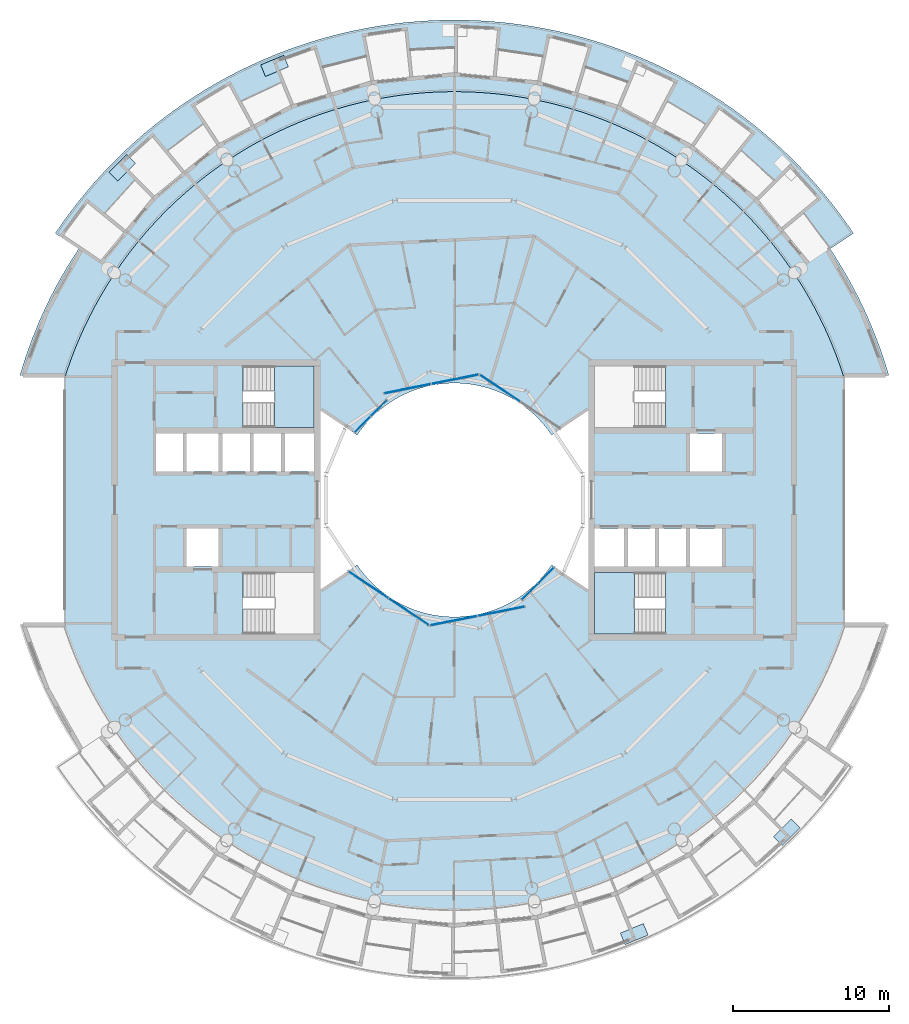
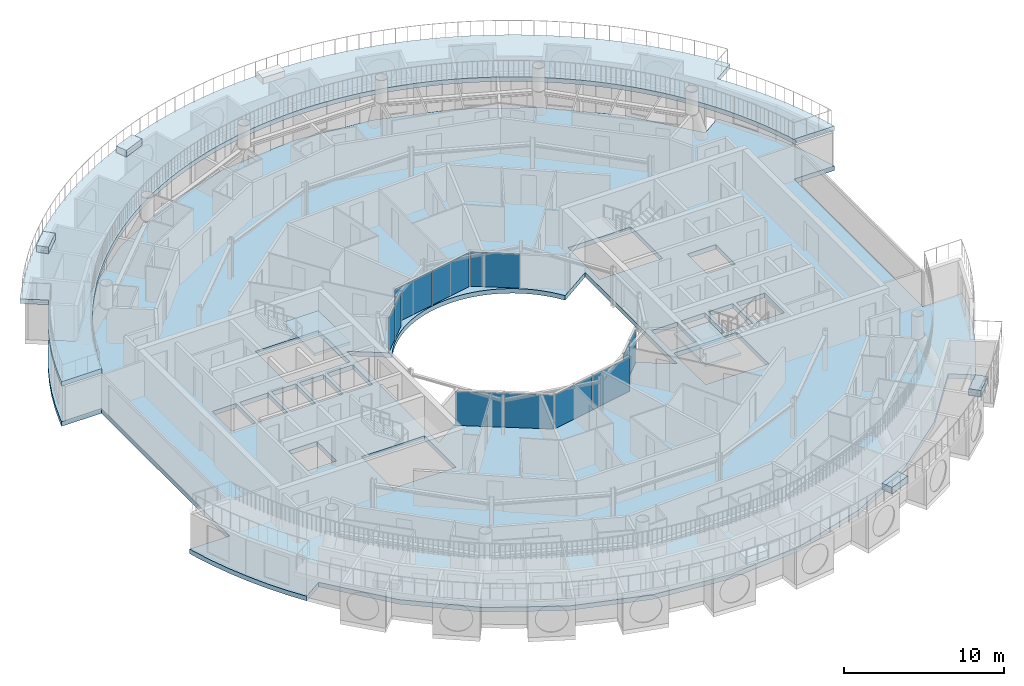
# One storey, part 12 of 29: 11 plates, 8 slabs, 8 elements without a shape of their own.
"""IFC4 building model written with IfcOpenShell, lengths in metres."""

from ifc_helpers import new_model, si_unit, direction, frame, origin, origin_2d, place, context, subcontext, project, spatial, polyline, rectangle, outline, extrude, material, layer, layer_set, type_object, element, aggregate, save


model = new_model("IFC4")

# Units and contexts
model_context = context("Model", 3, precision=1e-05, world=origin(), true_north=direction((0.0, 1.0)))
body_context = subcontext(model_context, "Body", "Model", "MODEL_VIEW")
ifc_project = project(units=[si_unit("LENGTHUNIT", "METRE"), si_unit("AREAUNIT", "SQUARE_METRE"), si_unit("VOLUMEUNIT", "CUBIC_METRE"), si_unit("PLANEANGLEUNIT", "RADIAN"), si_unit("MASSUNIT", "GRAM", prefix="KILO")], contexts=[model_context])

# Site, building, storey
site_placement = place(None, origin())
site = spatial("IfcSite", under=ifc_project, at=site_placement, CompositionType="ELEMENT")
building_placement = place(site_placement, origin())
building = spatial("IfcBuilding", under=site, at=building_placement, Name="Maasbend Ring Residences", CompositionType="ELEMENT")
storey_placement = place(building_placement, frame((0.0, 0.0, 234.050048828125)))
storey = spatial("IfcBuildingStorey", under=building, at=storey_placement, Name="L67", CompositionType="ELEMENT", Elevation=234.050048828125)

# Stair, slab
ifc_material_1 = material(Name="Concrete C40/50", Category="concrete")
stair_type = type_object("IfcStairType", Name="CORE STAIR 18 RISERS", PredefinedType="HALF_TURN_STAIR", material=ifc_material_1)
stair_1_placement = place(storey_placement, origin())
stair_1 = element("IfcStair", 1, at=stair_1_placement, inside=storey, type_object=stair_type, Name="L67 Exit stair ST-E2", PredefinedType="HALF_TURN_STAIR")
ifc_material_2 = material(Name="Concrete C40/50", Category="concrete")
ifc_layer_1 = layer(ifc_material_2, 0.199951171875)
ifc_layer_set_1 = layer_set([ifc_layer_1], Name="Concrete C40/50")
slab_type_1 = type_object("IfcSlabType", Name="CORE STAIR LANDING 200", PredefinedType="LANDING", material=ifc_layer_set_1)
slab_1_placement = place(storey_placement, frame((0.0, 0.0, 1.324951171875)))
slab_1 = element("IfcSlab", 2, at=slab_1_placement, type_object=slab_type_1, Name="ST-E2 landing 1", PredefinedType="LANDING", context=body_context, shape_type="SweptSolid", body=[
    extrude(outline(polyline([(11.550048828125, -4.64990234375), (9.0, -4.64990234375), (9.0, -8.60009765625), (11.550048828125, -8.60009765625), (11.550048828125, -4.64990234375)])), origin(), (0.0, 0.0, 1.0), 0.199951171875),
])
aggregate(stair_1, [slab_1])

stair_2_placement = place(storey_placement, origin())
stair_2 = element("IfcStair", 3, at=stair_2_placement, inside=storey, type_object=stair_type, Name="L67 Exit stair ST-W2", PredefinedType="HALF_TURN_STAIR")
slab_2_placement = place(storey_placement, frame((0.0, 0.0, 1.324951171875)))
slab_2 = element("IfcSlab", 4, at=slab_2_placement, type_object=slab_type_1, Name="ST-W2 landing 1", PredefinedType="LANDING", context=body_context, shape_type="SweptSolid", body=[
    extrude(outline(polyline([(-11.550048828125, 4.64990234375), (-9.0, 4.64990234375), (-9.0, 8.60009765625), (-11.550048828125, 8.60009765625), (-11.550048828125, 4.64990234375)])), origin(), (0.0, 0.0, 1.0), 0.199951171875),
])
aggregate(stair_2, [slab_2])

# Curtain wall, plate
ifc_material_3 = material(Name="Aluminium and clear glass", Category="aluminium")
ifc_layer_2 = layer(ifc_material_3, 0.179931640625)
ifc_layer_set_2 = layer_set([ifc_layer_2], Name="CW-W")
curtain_wall_type = type_object("IfcCurtainWallType", Name="CW-W", PredefinedType="NOTDEFINED", material=ifc_layer_set_2)
curtain_wall_1_placement = place(storey_placement, origin())
curtain_wall_1 = element("IfcCurtainWall", 5, at=curtain_wall_1_placement, inside=storey, type_object=curtain_wall_type, Name="Well curtain wall N1", PredefinedType="NOTDEFINED")
ifc_material_4 = material(Name="Glass clear laminated", Category="glass")
ifc_layer_3 = layer(ifc_material_4, 0.031982421875)
ifc_layer_set_3 = layer_set([ifc_layer_3], Name="CWP-W")
plate_type = type_object("IfcPlateType", Name="CWP-W", PredefinedType="CURTAIN_PANEL", material=ifc_layer_set_3)
plate_1_placement = place(storey_placement, frame((2.922119140625, 7.17578125, 0.0), z_axis=(0.0, 0.0, 1.0), x_axis=(-0.831469612303, 0.55557023302, 0.0)))
plate_1 = element("IfcPlate", 6, at=plate_1_placement, type_object=plate_type, Name="Glass panel well face", PredefinedType="CURTAIN_PANEL", context=body_context, shape_type="SweptSolid", body=[
    extrude(rectangle(XDim=3.053955078125, YDim=0.031982421875, at=origin_2d()), origin(), (0.0, 0.0, 1.0), 2.580078125),
])
aggregate(curtain_wall_1, [plate_1])

# Curtain wall, plates
curtain_wall_2_placement = place(storey_placement, origin())
curtain_wall_2 = element("IfcCurtainWall", 7, at=curtain_wall_2_placement, inside=storey, type_object=curtain_wall_type, Name="Well curtain wall N2", PredefinedType="NOTDEFINED")
plate_2_placement = place(storey_placement, frame((0.04638671875, 7.747802734375, 0.0), z_axis=(0.0, 0.0, 1.0), x_axis=(-0.980785280403, -0.195090322016, 0.0)))
plate_2 = element("IfcPlate", 8, at=plate_2_placement, type_object=plate_type, Name="Glass panel well face", PredefinedType="CURTAIN_PANEL", context=body_context, shape_type="SweptSolid", body=[
    extrude(rectangle(XDim=3.053955078125, YDim=0.031982421875, at=origin_2d()), origin(), (0.0, 0.0, 1.0), 2.580078125),
])
plate_3_placement = place(storey_placement, frame((-3.0078125, 7.140380859375, 0.0), z_axis=(0.0, 0.0, 1.0), x_axis=(-0.980785280403, -0.195090322016, 0.0)))
plate_3 = element("IfcPlate", 9, at=plate_3_placement, type_object=plate_type, Name="Glass panel well face", PredefinedType="CURTAIN_PANEL", context=body_context, shape_type="SweptSolid", body=[
    extrude(rectangle(XDim=3.053955078125, YDim=0.031982421875, at=origin_2d()), origin(), (0.0, 0.0, 1.0), 2.580078125),
])
aggregate(curtain_wall_2, [plate_2, plate_3])

curtain_wall_3_placement = place(storey_placement, origin())
curtain_wall_3 = element("IfcCurtainWall", 10, at=curtain_wall_3_placement, inside=storey, type_object=curtain_wall_type, Name="Well curtain wall N3", PredefinedType="NOTDEFINED")
plate_4_placement = place(storey_placement, frame((-4.84375, 5.89013671875, 0.0), z_axis=(0.0, 0.0, 1.0), x_axis=(-0.707106781187, -0.707106781187, 0.0)))
plate_4 = element("IfcPlate", 11, at=plate_4_placement, type_object=plate_type, Name="Glass panel well face", PredefinedType="CURTAIN_PANEL", context=body_context, shape_type="SweptSolid", body=[
    extrude(rectangle(XDim=1.419677734375, YDim=0.031982421875, at=origin_2d()), origin(), (0.0, 0.0, 1.0), 2.580078125),
])
plate_5_placement = place(storey_placement, frame((-5.89013671875, 4.84375, 0.0), z_axis=(0.0, 0.0, 1.0), x_axis=(-0.707106781187, -0.707106781187, 0.0)))
plate_5 = element("IfcPlate", 12, at=plate_5_placement, type_object=plate_type, Name="Glass panel well face", PredefinedType="CURTAIN_PANEL", context=body_context, shape_type="SweptSolid", body=[
    extrude(rectangle(XDim=1.419677734375, YDim=0.031982421875, at=origin_2d()), origin(), (0.0, 0.0, 1.0), 2.580078125),
])
aggregate(curtain_wall_3, [plate_4, plate_5])

curtain_wall_4_placement = place(storey_placement, origin())
curtain_wall_4 = element("IfcCurtainWall", 13, at=curtain_wall_4_placement, inside=storey, type_object=curtain_wall_type, Name="Well curtain wall S1", PredefinedType="NOTDEFINED")
plate_6_placement = place(storey_placement, frame((-5.51123046875, -5.44580078125, 0.0), z_axis=(0.0, 0.0, 1.0), x_axis=(0.831469612303, -0.55557023302, 0.0)))
plate_6 = element("IfcPlate", 14, at=plate_6_placement, type_object=plate_type, Name="Glass panel well face", PredefinedType="CURTAIN_PANEL", context=body_context, shape_type="SweptSolid", body=[
    extrude(rectangle(XDim=3.053955078125, YDim=0.031982421875, at=origin_2d()), origin(), (0.0, 0.0, 1.0), 2.580078125),
])
plate_7_placement = place(storey_placement, frame((-2.922119140625, -7.17578125, 0.0), z_axis=(0.0, 0.0, 1.0), x_axis=(0.831469612303, -0.55557023302, 0.0)))
plate_7 = element("IfcPlate", 15, at=plate_7_placement, type_object=plate_type, Name="Glass panel well face", PredefinedType="CURTAIN_PANEL", context=body_context, shape_type="SweptSolid", body=[
    extrude(rectangle(XDim=3.053955078125, YDim=0.031982421875, at=origin_2d()), origin(), (0.0, 0.0, 1.0), 2.580078125),
])
aggregate(curtain_wall_4, [plate_6, plate_7])

curtain_wall_5_placement = place(storey_placement, origin())
curtain_wall_5 = element("IfcCurtainWall", 16, at=curtain_wall_5_placement, inside=storey, type_object=curtain_wall_type, Name="Well curtain wall S2", PredefinedType="NOTDEFINED")
plate_8_placement = place(storey_placement, frame((-0.04638671875, -7.747802734375, 0.0), z_axis=(0.0, 0.0, 1.0), x_axis=(0.980785280403, 0.195090322016, 0.0)))
plate_8 = element("IfcPlate", 17, at=plate_8_placement, type_object=plate_type, Name="Glass panel well face", PredefinedType="CURTAIN_PANEL", context=body_context, shape_type="SweptSolid", body=[
    extrude(rectangle(XDim=3.053955078125, YDim=0.031982421875, at=origin_2d()), origin(), (0.0, 0.0, 1.0), 2.580078125),
])
plate_9_placement = place(storey_placement, frame((3.0078125, -7.140380859375, 0.0), z_axis=(0.0, 0.0, 1.0), x_axis=(0.980785280403, 0.195090322016, 0.0)))
plate_9 = element("IfcPlate", 18, at=plate_9_placement, type_object=plate_type, Name="Glass panel well face", PredefinedType="CURTAIN_PANEL", context=body_context, shape_type="SweptSolid", body=[
    extrude(rectangle(XDim=3.053955078125, YDim=0.031982421875, at=origin_2d()), origin(), (0.0, 0.0, 1.0), 2.580078125),
])
aggregate(curtain_wall_5, [plate_8, plate_9])

curtain_wall_6_placement = place(storey_placement, origin())
curtain_wall_6 = element("IfcCurtainWall", 19, at=curtain_wall_6_placement, inside=storey, type_object=curtain_wall_type, Name="Well curtain wall S3", PredefinedType="NOTDEFINED")
plate_10_placement = place(storey_placement, frame((4.84375, -5.89013671875, 0.0), z_axis=(0.0, 0.0, 1.0), x_axis=(0.707106781187, 0.707106781187, 0.0)))
plate_10 = element("IfcPlate", 20, at=plate_10_placement, type_object=plate_type, Name="Glass panel well face", PredefinedType="CURTAIN_PANEL", context=body_context, shape_type="SweptSolid", body=[
    extrude(rectangle(XDim=1.419677734375, YDim=0.031982421875, at=origin_2d()), origin(), (0.0, 0.0, 1.0), 2.580078125),
])
plate_11_placement = place(storey_placement, frame((5.89013671875, -4.84375, 0.0), z_axis=(0.0, 0.0, 1.0), x_axis=(0.707106781187, 0.707106781187, 0.0)))
plate_11 = element("IfcPlate", 21, at=plate_11_placement, type_object=plate_type, Name="Glass panel well face", PredefinedType="CURTAIN_PANEL", context=body_context, shape_type="SweptSolid", body=[
    extrude(rectangle(XDim=1.419677734375, YDim=0.031982421875, at=origin_2d()), origin(), (0.0, 0.0, 1.0), 2.580078125),
])
aggregate(curtain_wall_6, [plate_10, plate_11])

# Slabs
ifc_material_5 = material(Name="Lawn and planting")
ifc_layer_4 = layer(ifc_material_5, 0.5)
ifc_layer_set_4 = layer_set([ifc_layer_4], Name="PLANTER-CT")
slab_type_2 = type_object("IfcSlabType", Name="PLANTER-CT", PredefinedType="USERDEFINED", material=ifc_layer_set_4)
slab_3_placement = place(storey_placement, frame((0.0, 0.0, 3.050048828125)))
element("IfcSlab", 22, at=slab_3_placement, inside=storey, type_object=slab_type_2, Name="Terrace planter 4", ObjectType="PLANTER", PredefinedType="USERDEFINED", context=body_context, shape_type="SweptSolid", body=[
    extrude(outline(polyline([(-10.951904296875, 28.531005859375), (-12.429931640625, 27.91796875), (-12.1240234375, 27.178955078125), (-10.64599609375, 27.7919921875), (-10.951904296875, 28.531005859375)])), origin(), (0.0, 0.0, 1.0), 0.5),
])
slab_4_placement = place(storey_placement, frame((0.0, 0.0, 3.050048828125)))
element("IfcSlab", 23, at=slab_4_placement, inside=storey, type_object=slab_type_2, Name="Terrace planter 5", ObjectType="PLANTER", PredefinedType="USERDEFINED", context=body_context, shape_type="SweptSolid", body=[
    extrude(outline(polyline([(-21.035888671875, 22.16796875), (-22.16796875, 21.035888671875), (-21.60205078125, 20.470947265625), (-20.470947265625, 21.60205078125), (-21.035888671875, 22.16796875)])), origin(), (0.0, 0.0, 1.0), 0.5),
])
slab_5_placement = place(storey_placement, frame((0.0, 0.0, 3.050048828125)))
element("IfcSlab", 24, at=slab_5_placement, inside=storey, type_object=slab_type_2, Name="Terrace planter 9", ObjectType="PLANTER", PredefinedType="USERDEFINED", context=body_context, shape_type="SweptSolid", body=[
    extrude(outline(polyline([(10.951904296875, -28.531005859375), (12.429931640625, -27.91796875), (12.1240234375, -27.178955078125), (10.64599609375, -27.7919921875), (10.951904296875, -28.531005859375)])), origin(), (0.0, 0.0, 1.0), 0.5),
])
slab_6_placement = place(storey_placement, frame((0.0, 0.0, 3.050048828125)))
element("IfcSlab", 25, at=slab_6_placement, inside=storey, type_object=slab_type_2, Name="Terrace planter 10", ObjectType="PLANTER", PredefinedType="USERDEFINED", context=body_context, shape_type="SweptSolid", body=[
    extrude(outline(polyline([(21.035888671875, -22.16796875), (22.16796875, -21.035888671875), (21.60205078125, -20.470947265625), (20.470947265625, -21.60205078125), (21.035888671875, -22.16796875)])), origin(), (0.0, 0.0, 1.0), 0.5),
])
ifc_material_6 = material(Name="Concrete C40/50", Category="concrete")
ifc_layer_5 = layer(ifc_material_6, 0.35009765625)
ifc_layer_set_5 = layer_set([ifc_layer_5], Name="Concrete C40/50")
slab_type_3 = type_object("IfcSlabType", Name="Post-tensioned flat plate 350", PredefinedType="FLOOR", material=ifc_layer_set_5)
slab_7_placement = place(storey_placement, frame((0.0, 0.0, -0.35009765625)))
element("IfcSlab", 26, at=slab_7_placement, inside=storey, type_object=slab_type_3, Name="Floor slab L67", PredefinedType="FLOOR", context=body_context, shape_type="SweptSolid", body=[
    extrude(outline(polyline([(24.8740234375, -14.908935546875), (25.57568359375, -13.67041015625), (26.2158203125, -12.399169921875), (26.79248046875, -11.097900390625), (27.3046875, -9.769775390625), (27.751220703125, -8.418212890625), (27.866943359375, -8.0), (25.0, -8.0), (25.0, 8.0), (27.866943359375, 8.0), (27.751220703125, 8.418212890625), (27.3046875, 9.769775390625), (26.79248046875, 11.097900390625), (26.2158203125, 12.399169921875), (25.57568359375, 13.67041015625), (24.8740234375, 14.908935546875), (24.112548828125, 16.111572265625), (22.69921875, 15.1669921875), (19.303955078125, 19.303955078125), (15.1669921875, 22.69921875), (10.447265625, 25.221923828125), (5.325927734375, 26.775390625), (0.0, 27.300048828125), (-5.325927734375, 26.775390625), (-10.447265625, 25.221923828125), (-15.1669921875, 22.69921875), (-19.303955078125, 19.303955078125), (-22.69921875, 15.1669921875), (-24.112548828125, 16.111572265625), (-24.8740234375, 14.908935546875), (-25.57568359375, 13.67041015625), (-26.2158203125, 12.399169921875), (-26.79248046875, 11.097900390625), (-27.3046875, 9.769775390625), (-27.751220703125, 8.418212890625), (-27.866943359375, 8.0), (-25.0, 8.0), (-25.0, -8.0), (-27.866943359375, -8.0), (-27.751220703125, -8.418212890625), (-27.3046875, -9.769775390625), (-26.79248046875, -11.097900390625), (-26.2158203125, -12.399169921875), (-25.57568359375, -13.67041015625), (-24.8740234375, -14.908935546875), (-24.112548828125, -16.111572265625), (-22.69921875, -15.1669921875), (-19.303955078125, -19.303955078125), (-15.1669921875, -22.69921875), (-10.447265625, -25.221923828125), (-5.325927734375, -26.775390625), (0.0, -27.300048828125), (5.325927734375, -26.775390625), (10.447265625, -25.221923828125), (15.1669921875, -22.69921875), (19.303955078125, -19.303955078125), (22.69921875, -15.1669921875), (24.112548828125, -16.111572265625), (24.8740234375, -14.908935546875)]), holes=[polyline([(15.125, 1.824951171875), (15.125, 4.27490234375), (17.175048828125, 4.27490234375), (17.175048828125, 1.824951171875), (15.125, 1.824951171875)]), polyline([(15.125, -4.27490234375), (15.125, -1.824951171875), (17.175048828125, -1.824951171875), (17.175048828125, -4.27490234375), (15.125, -4.27490234375)]), polyline([(13.125, -4.27490234375), (13.125, -1.824951171875), (14.875, -1.824951171875), (14.875, -4.27490234375), (13.125, -4.27490234375)]), polyline([(13.550048828125, 8.60009765625), (13.550048828125, 4.64990234375), (9.0, 4.64990234375), (9.0, 8.60009765625), (13.550048828125, 8.60009765625)]), polyline([(13.550048828125, -4.64990234375), (13.550048828125, -8.60009765625), (9.0, -8.60009765625), (9.0, -4.64990234375), (13.550048828125, -4.64990234375)]), polyline([(11.125, -4.27490234375), (11.125, -1.824951171875), (12.875, -1.824951171875), (12.875, -4.27490234375), (11.125, -4.27490234375)]), polyline([(9.0, -4.27490234375), (9.0, -1.824951171875), (10.875, -1.824951171875), (10.875, -4.27490234375), (9.0, -4.27490234375)]), polyline([(6.024169921875, 4.4677734375), (6.236083984375, 4.166748046875), (8.60009765625, 5.746337890625), (8.60009765625, -5.746337890625), (6.236083984375, -4.166748046875), (6.024169921875, -4.4677734375), (5.797607421875, -4.7578125), (5.55712890625, -5.03662109375), (5.30322265625, -5.30322265625), (5.03662109375, -5.55712890625), (4.7578125, -5.797607421875), (4.4677734375, -6.024169921875), (4.166748046875, -6.236083984375), (3.855712890625, -6.43310546875), (3.535400390625, -6.614501953125), (3.206787109375, -6.77978515625), (2.8701171875, -6.92919921875), (2.526611328125, -7.0615234375), (2.177001953125, -7.177001953125), (1.822509765625, -7.275146484375), (1.463134765625, -7.35595703125), (1.1005859375, -7.418701171875), (0.735107421875, -7.4638671875), (0.367919921875, -7.490966796875), (0.0, -7.5), (-0.367919921875, -7.490966796875), (-0.735107421875, -7.4638671875), (-1.1005859375, -7.418701171875), (-1.463134765625, -7.35595703125), (-1.822509765625, -7.275146484375), (-2.177001953125, -7.177001953125), (-2.526611328125, -7.0615234375), (-2.8701171875, -6.92919921875), (-3.206787109375, -6.77978515625), (-3.535400390625, -6.614501953125), (-3.855712890625, -6.43310546875), (-4.166748046875, -6.236083984375), (-4.4677734375, -6.024169921875), (-4.7578125, -5.797607421875), (-5.03662109375, -5.55712890625), (-5.30322265625, -5.30322265625), (-5.55712890625, -5.03662109375), (-5.797607421875, -4.7578125), (-6.024169921875, -4.4677734375), (-6.236083984375, -4.166748046875), (-8.60009765625, -5.746337890625), (-8.60009765625, 5.746337890625), (-6.236083984375, 4.166748046875), (-6.024169921875, 4.4677734375), (-5.797607421875, 4.7578125), (-5.55712890625, 5.03662109375), (-5.30322265625, 5.30322265625), (-5.03662109375, 5.55712890625), (-4.7578125, 5.797607421875), (-4.4677734375, 6.024169921875), (-4.166748046875, 6.236083984375), (-3.855712890625, 6.43310546875), (-3.535400390625, 6.614501953125), (-3.206787109375, 6.77978515625), (-2.8701171875, 6.92919921875), (-2.526611328125, 7.0615234375), (-2.177001953125, 7.177001953125), (-1.822509765625, 7.275146484375), (-1.463134765625, 7.35595703125), (-1.1005859375, 7.418701171875), (-0.735107421875, 7.4638671875), (-0.367919921875, 7.490966796875), (0.0, 7.5), (0.367919921875, 7.490966796875), (0.735107421875, 7.4638671875), (1.1005859375, 7.418701171875), (1.463134765625, 7.35595703125), (1.822509765625, 7.275146484375), (2.177001953125, 7.177001953125), (2.526611328125, 7.0615234375), (2.8701171875, 6.92919921875), (3.206787109375, 6.77978515625), (3.535400390625, 6.614501953125), (3.855712890625, 6.43310546875), (4.166748046875, 6.236083984375), (4.4677734375, 6.024169921875), (4.7578125, 5.797607421875), (5.03662109375, 5.55712890625), (5.30322265625, 5.30322265625), (5.55712890625, 5.03662109375), (5.797607421875, 4.7578125), (6.024169921875, 4.4677734375)]), polyline([(-13.550048828125, 4.64990234375), (-13.550048828125, 8.60009765625), (-9.0, 8.60009765625), (-9.0, 4.64990234375), (-13.550048828125, 4.64990234375)]), polyline([(-9.0, -8.60009765625), (-13.550048828125, -8.60009765625), (-13.550048828125, -4.64990234375), (-9.0, -4.64990234375), (-9.0, -8.60009765625)]), polyline([(-9.0, 4.27490234375), (-9.0, 1.824951171875), (-10.875, 1.824951171875), (-10.875, 4.27490234375), (-9.0, 4.27490234375)]), polyline([(-11.125, 4.27490234375), (-11.125, 1.824951171875), (-12.875, 1.824951171875), (-12.875, 4.27490234375), (-11.125, 4.27490234375)]), polyline([(-13.125, 4.27490234375), (-13.125, 1.824951171875), (-14.875, 1.824951171875), (-14.875, 4.27490234375), (-13.125, 4.27490234375)]), polyline([(-15.125, 4.27490234375), (-15.125, 1.824951171875), (-17.175048828125, 1.824951171875), (-17.175048828125, 4.27490234375), (-15.125, 4.27490234375)]), polyline([(-15.125, -1.824951171875), (-15.125, -4.27490234375), (-17.175048828125, -4.27490234375), (-17.175048828125, -1.824951171875), (-15.125, -1.824951171875)]), polyline([(-17.425048828125, 4.27490234375), (-17.425048828125, 1.824951171875), (-19.14990234375, 1.824951171875), (-19.14990234375, 4.27490234375), (-17.425048828125, 4.27490234375)])]), origin(), (0.0, 0.0, 1.0), 0.35009765625),
])
ifc_material_7 = material(Name="Concrete C40/50", Category="concrete")
ifc_layer_6 = layer(ifc_material_7, 0.320068359375)
ifc_layer_set_6 = layer_set([ifc_layer_6], Name="Concrete C40/50")
slab_type_4 = type_object("IfcSlabType", Name="SL-TERR", PredefinedType="ROOF", material=ifc_layer_set_6)
slab_8_placement = place(storey_placement, frame((0.0, 0.0, 2.699951171875)))
element("IfcSlab", 27, at=slab_8_placement, inside=storey, type_object=slab_type_4, Name="Terrace roof L68 north", PredefinedType="ROOF", context=body_context, shape_type="SweptSolid", body=[
    extrude(outline(polyline([(-27.751220703125, 8.418212890625), (-27.536376953125, 9.0966796875), (-27.3046875, 9.769775390625), (-27.056884765625, 10.43701171875), (-26.79248046875, 11.097900390625), (-26.511962890625, 11.751953125), (-26.215576171875, 12.399169921875), (-25.903564453125, 13.038818359375), (-25.57568359375, 13.67041015625), (-25.232421875, 14.2939453125), (-24.8740234375, 14.908935546875), (-24.500732421875, 15.514892578125), (-24.112548828125, 16.111572265625), (-24.112548828125, 16.111572265625), (-25.609375, 17.111572265625), (-25.15869140625, 17.767333984375), (-24.69140625, 18.411376953125), (-24.20751953125, 19.04296875), (-23.70751953125, 19.662109375), (-23.191650390625, 20.267822265625), (-22.660400390625, 20.8603515625), (-22.11376953125, 21.438720703125), (-21.552734375, 22.002685546875), (-20.97705078125, 22.55224609375), (-20.387451171875, 23.086669921875), (-19.784423828125, 23.60546875), (-19.16796875, 24.108642578125), (-18.538818359375, 24.595947265625), (-17.897216796875, 25.066650390625), (-17.24365234375, 25.5205078125), (-16.57861328125, 25.95751953125), (-15.902587890625, 26.376953125), (-15.2158203125, 26.779052734375), (-14.51904296875, 27.1630859375), (-13.8125, 27.529052734375), (-13.0966796875, 27.876708984375), (-12.372314453125, 28.205810546875), (-11.639404296875, 28.51611328125), (-10.89892578125, 28.80712890625), (-10.151123046875, 29.0791015625), (-9.396484375, 29.33154296875), (-8.6357421875, 29.564697265625), (-7.869140625, 29.77783203125), (-7.09716796875, 29.97119140625), (-6.320556640625, 30.14453125), (-5.539794921875, 30.297607421875), (-4.75537109375, 30.4306640625), (-3.967529296875, 30.54345703125), (-3.17724609375, 30.6357421875), (-2.384765625, 30.70751953125), (-1.5908203125, 30.7587890625), (-0.795654296875, 30.789794921875), (0.0, 30.800048828125), (0.795654296875, 30.789794921875), (1.5908203125, 30.7587890625), (2.384765625, 30.70751953125), (3.17724609375, 30.6357421875), (3.967529296875, 30.54345703125), (4.75537109375, 30.4306640625), (5.539794921875, 30.297607421875), (6.320556640625, 30.14453125), (7.09716796875, 29.97119140625), (7.869140625, 29.77783203125), (8.6357421875, 29.564697265625), (9.396484375, 29.33154296875), (10.151123046875, 29.0791015625), (10.89892578125, 28.80712890625), (11.639404296875, 28.51611328125), (12.372314453125, 28.205810546875), (13.0966796875, 27.876708984375), (13.8125, 27.529052734375), (14.51904296875, 27.1630859375), (15.2158203125, 26.779052734375), (15.902587890625, 26.376953125), (16.57861328125, 25.95751953125), (17.24365234375, 25.5205078125), (17.897216796875, 25.066650390625), (18.538818359375, 24.595947265625), (19.16796875, 24.108642578125), (19.784423828125, 23.60546875), (20.387451171875, 23.086669921875), (20.97705078125, 22.55224609375), (21.552734375, 22.002685546875), (22.11376953125, 21.438720703125), (22.660400390625, 20.8603515625), (23.191650390625, 20.267822265625), (23.70751953125, 19.662109375), (24.20751953125, 19.04296875), (24.69140625, 18.411376953125), (25.15869140625, 17.767333984375), (25.609375, 17.111572265625), (24.112548828125, 16.111572265625), (24.500732421875, 15.514892578125), (24.8740234375, 14.908935546875), (25.232421875, 14.2939453125), (25.57568359375, 13.67041015625), (25.903564453125, 13.038818359375), (26.215576171875, 12.399169921875), (26.511962890625, 11.751953125), (26.79248046875, 11.097900390625), (27.056884765625, 10.43701171875), (27.3046875, 9.769775390625), (27.536376953125, 9.0966796875), (27.751220703125, 8.418212890625), (27.87255859375, 8.0), (25.0, 8.0), (25.0, 7.837158203125), (24.9765625, 7.91259765625), (24.877685546875, 8.218505859375), (24.77490234375, 8.523193359375), (24.66845703125, 8.826416015625), (24.558349609375, 9.128662109375), (24.4443359375, 9.42919921875), (24.326904296875, 9.728515625), (24.20556640625, 10.0263671875), (24.080810546875, 10.322509765625), (23.952392578125, 10.617431640625), (23.8203125, 10.910400390625), (23.6845703125, 11.201904296875), (23.545166015625, 11.49169921875), (23.402587890625, 11.77978515625), (23.256103515625, 12.066162109375), (23.1064453125, 12.3505859375), (22.953125, 12.63330078125), (22.79638671875, 12.913818359375), (22.635986328125, 13.192626953125), (22.472412109375, 13.469482421875), (22.305419921875, 13.744140625), (22.13525390625, 14.016845703125), (21.96142578125, 14.28759765625), (21.784423828125, 14.555908203125), (21.604248046875, 14.822265625), (21.420654296875, 15.086181640625), (21.23388671875, 15.347900390625), (21.0439453125, 15.607421875), (20.850830078125, 15.864501953125), (20.65478515625, 16.119140625), (20.455322265625, 16.371337890625), (20.2529296875, 16.62109375), (20.04736328125, 16.868408203125), (19.8388671875, 17.113037109375), (19.62744140625, 17.355224609375), (19.412841796875, 17.5947265625), (19.195556640625, 17.831787109375), (18.975341796875, 18.06591796875), (18.752197265625, 18.29736328125), (18.526123046875, 18.526123046875), (18.29736328125, 18.752197265625), (18.06591796875, 18.975341796875), (17.831787109375, 19.195556640625), (17.5947265625, 19.412841796875), (17.355224609375, 19.62744140625), (17.113037109375, 19.8388671875), (16.868408203125, 20.04736328125), (16.62109375, 20.2529296875), (16.371337890625, 20.455322265625), (16.119140625, 20.65478515625), (15.864501953125, 20.850830078125), (15.607421875, 21.0439453125), (15.347900390625, 21.23388671875), (15.086181640625, 21.420654296875), (14.822265625, 21.604248046875), (14.555908203125, 21.784423828125), (14.28759765625, 21.96142578125), (14.016845703125, 22.13525390625), (13.744140625, 22.305419921875), (13.469482421875, 22.472412109375), (13.192626953125, 22.635986328125), (12.913818359375, 22.79638671875), (12.63330078125, 22.953125), (12.3505859375, 23.1064453125), (12.066162109375, 23.256103515625), (11.77978515625, 23.402587890625), (11.49169921875, 23.545166015625), (11.201904296875, 23.6845703125), (10.910400390625, 23.8203125), (10.617431640625, 23.952392578125), (10.322509765625, 24.080810546875), (10.0263671875, 24.20556640625), (9.728515625, 24.326904296875), (9.42919921875, 24.4443359375), (9.128662109375, 24.558349609375), (8.826416015625, 24.66845703125), (8.523193359375, 24.77490234375), (8.218505859375, 24.877685546875), (7.91259765625, 24.9765625), (7.60546875, 25.07177734375), (7.297119140625, 25.163330078125), (6.98779296875, 25.2509765625), (6.677490234375, 25.334716796875), (6.365966796875, 25.414794921875), (6.0537109375, 25.490966796875), (5.740478515625, 25.5634765625), (5.42626953125, 25.6318359375), (5.111328125, 25.696533203125), (4.795654296875, 25.75732421875), (4.479248046875, 25.814208984375), (4.162109375, 25.8671875), (3.84423828125, 25.91650390625), (3.526123046875, 25.961669921875), (3.207275390625, 26.0029296875), (2.887939453125, 26.040283203125), (2.568115234375, 26.07373046875), (2.247802734375, 26.103271484375), (1.927490234375, 26.12890625), (1.606689453125, 26.150634765625), (1.28564453125, 26.16845703125), (0.96435546875, 26.18212890625), (0.64306640625, 26.192138671875), (0.321533203125, 26.197998046875), (0.0, 26.199951171875), (-0.321533203125, 26.197998046875), (-0.64306640625, 26.192138671875), (-0.96435546875, 26.18212890625), (-1.28564453125, 26.16845703125), (-1.606689453125, 26.150634765625), (-1.927490234375, 26.12890625), (-2.247802734375, 26.103271484375), (-2.568115234375, 26.07373046875), (-2.887939453125, 26.040283203125), (-3.207275390625, 26.0029296875), (-3.526123046875, 25.961669921875), (-3.84423828125, 25.91650390625), (-4.162109375, 25.8671875), (-4.479248046875, 25.814208984375), (-4.795654296875, 25.75732421875), (-5.111328125, 25.696533203125), (-5.42626953125, 25.6318359375), (-5.740478515625, 25.5634765625), (-6.0537109375, 25.490966796875), (-6.365966796875, 25.414794921875), (-6.677490234375, 25.334716796875), (-6.98779296875, 25.2509765625), (-7.297119140625, 25.163330078125), (-7.60546875, 25.07177734375), (-7.91259765625, 24.9765625), (-8.218505859375, 24.877685546875), (-8.523193359375, 24.77490234375), (-8.826416015625, 24.66845703125), (-9.128662109375, 24.558349609375), (-9.42919921875, 24.4443359375), (-9.728515625, 24.326904296875), (-10.0263671875, 24.20556640625), (-10.322509765625, 24.080810546875), (-10.617431640625, 23.952392578125), (-10.910400390625, 23.8203125), (-11.201904296875, 23.6845703125), (-11.49169921875, 23.545166015625), (-11.77978515625, 23.402587890625), (-12.066162109375, 23.256103515625), (-12.3505859375, 23.1064453125), (-12.63330078125, 22.953125), (-12.913818359375, 22.79638671875), (-13.192626953125, 22.635986328125), (-13.469482421875, 22.472412109375), (-13.744140625, 22.305419921875), (-14.016845703125, 22.13525390625), (-14.28759765625, 21.96142578125), (-14.555908203125, 21.784423828125), (-14.822265625, 21.604248046875), (-15.086181640625, 21.420654296875), (-15.347900390625, 21.23388671875), (-15.607421875, 21.0439453125), (-15.864501953125, 20.850830078125), (-16.119140625, 20.65478515625), (-16.371337890625, 20.455322265625), (-16.62109375, 20.2529296875), (-16.868408203125, 20.04736328125), (-17.113037109375, 19.8388671875), (-17.355224609375, 19.62744140625), (-17.5947265625, 19.412841796875), (-17.831787109375, 19.195556640625), (-18.06591796875, 18.975341796875), (-18.29736328125, 18.752197265625), (-18.526123046875, 18.526123046875), (-18.752197265625, 18.29736328125), (-18.975341796875, 18.06591796875), (-19.195556640625, 17.831787109375), (-19.412841796875, 17.5947265625), (-19.62744140625, 17.355224609375), (-19.8388671875, 17.113037109375), (-20.04736328125, 16.868408203125), (-20.2529296875, 16.62109375), (-20.455322265625, 16.371337890625), (-20.65478515625, 16.119140625), (-20.850830078125, 15.864501953125), (-21.0439453125, 15.607421875), (-21.23388671875, 15.347900390625), (-21.420654296875, 15.086181640625), (-21.604248046875, 14.822265625), (-21.784423828125, 14.555908203125), (-21.96142578125, 14.28759765625), (-22.13525390625, 14.016845703125), (-22.305419921875, 13.744140625), (-22.472412109375, 13.469482421875), (-22.635986328125, 13.192626953125), (-22.79638671875, 12.913818359375), (-22.953125, 12.63330078125), (-23.1064453125, 12.3505859375), (-23.256103515625, 12.066162109375), (-23.402587890625, 11.77978515625), (-23.545166015625, 11.49169921875), (-23.6845703125, 11.201904296875), (-23.8203125, 10.910400390625), (-23.952392578125, 10.617431640625), (-24.080810546875, 10.322509765625), (-24.20556640625, 10.0263671875), (-24.326904296875, 9.728515625), (-24.4443359375, 9.42919921875), (-24.558349609375, 9.128662109375), (-24.66845703125, 8.826416015625), (-24.77490234375, 8.523193359375), (-24.877685546875, 8.218505859375), (-24.9765625, 7.91259765625), (-25.0, 7.837158203125), (-25.0, 8.0), (-27.87255859375, 8.0), (-27.751220703125, 8.418212890625)])), origin(), (0.0, 0.0, 1.0), 0.35009765625),
])

save(model, "model.ifc")
